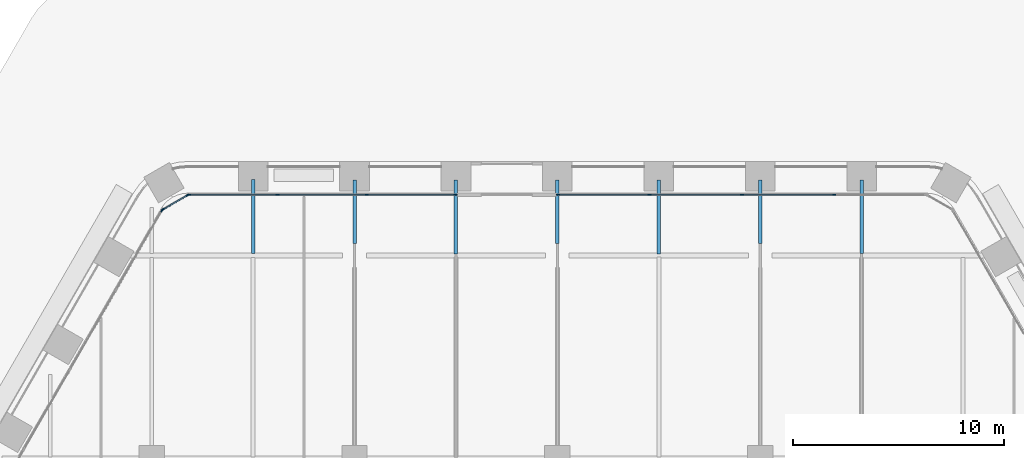
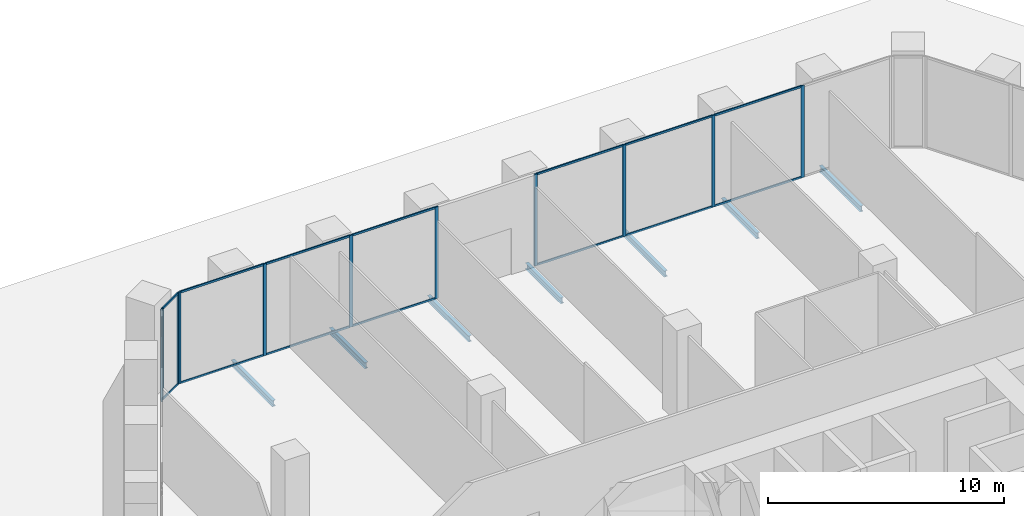
# One storey, part 12 of 29: 25 members, 7 beams, 4 elements without a shape of their own.
"""IFC4 building model written with IfcOpenShell, lengths in metres."""

from ifc_helpers import new_model, si_unit, direction, frame, origin, origin_2d, place, context, subcontext, project, spatial, rectangle, i_section, extrude, material, material_profile, profile_set, type_object, element, aggregate, save


model = new_model("IFC4")

# Units and contexts
model_context = context("Model", 3, precision=1e-05, world=origin(), true_north=direction((0.0, 1.0)))
body_context = subcontext(model_context, "Body", "Model", "MODEL_VIEW")
ifc_project = project(units=[si_unit("LENGTHUNIT", "METRE"), si_unit("AREAUNIT", "SQUARE_METRE"), si_unit("VOLUMEUNIT", "CUBIC_METRE"), si_unit("PLANEANGLEUNIT", "RADIAN"), si_unit("MASSUNIT", "GRAM", prefix="KILO")], contexts=[model_context])

# Site, building, storey
site_placement = place(None, origin())
site = spatial("IfcSite", under=ifc_project, at=site_placement, CompositionType="ELEMENT")
building_placement = place(site_placement, origin())
building = spatial("IfcBuilding", under=site, at=building_placement, Name="Kolab Exchange Tower", CompositionType="ELEMENT")
storey_placement = place(building_placement, frame((0.0, 0.0, 17.39990234375)))
storey = spatial("IfcBuildingStorey", under=building, at=storey_placement, Name="L03", CompositionType="ELEMENT", Elevation=17.39990234375)

# Beams
ifc_material_1 = material(Name="Steel S355", Category="steel")
ifc_material_profile_1 = material_profile(ifc_material_1, i_section(OverallWidth=0.1650390625, OverallDepth=0.31005859375, WebThickness=0.005859375, FlangeThickness=0.009765625, at=origin_2d()), Name="W310X39")
ifc_profile_set_1 = profile_set([ifc_material_profile_1], Name="Steel S355")
beam_type = type_object("IfcBeamType", Name="FLOOR BEAM W310X39", PredefinedType="BEAM", material=ifc_profile_set_1)
beam_1_placement = place(storey_placement, frame((-14.39990234375, 28.886962890625, -0.40478515625), z_axis=(0.0, 1.0, 0.0), x_axis=(-1.0, 0.0, 0.0)))
element("IfcBeam", 1, at=beam_1_placement, inside=storey, type_object=beam_type, Name="beam/L03/fr/024", PredefinedType="BEAM", context=body_context, shape_type="SweptSolid", body=[
    extrude(i_section(OverallWidth=0.1650390625, OverallDepth=0.31005859375, WebThickness=0.005859375, FlangeThickness=0.009765625, at=origin_2d()), origin(), (0.0, 0.0, 1.0), 3.5078125),
])
beam_2_placement = place(storey_placement, frame((-9.60009765625, 29.360107421875, -0.40478515625), z_axis=(0.0, 1.0, 0.0), x_axis=(-1.0, 0.0, 0.0)))
element("IfcBeam", 2, at=beam_2_placement, inside=storey, type_object=beam_type, Name="beam/L03/fr/030", PredefinedType="BEAM", context=body_context, shape_type="SweptSolid", body=[
    extrude(i_section(OverallWidth=0.1650390625, OverallDepth=0.31005859375, WebThickness=0.005859375, FlangeThickness=0.009765625, at=origin_2d()), origin(), (0.0, 0.0, 1.0), 3.01025390625),
])
beam_3_placement = place(storey_placement, frame((-4.800048828125, 28.8740234375, -0.40478515625), z_axis=(0.0, 1.0, 0.0), x_axis=(-1.0, 0.0, 0.0)))
element("IfcBeam", 3, at=beam_3_placement, inside=storey, type_object=beam_type, Name="beam/L03/fr/036", PredefinedType="BEAM", context=body_context, shape_type="SweptSolid", body=[
    extrude(i_section(OverallWidth=0.1650390625, OverallDepth=0.31005859375, WebThickness=0.005859375, FlangeThickness=0.009765625, at=origin_2d()), origin(), (0.0, 0.0, 1.0), 3.496337890625),
])
beam_4_placement = place(storey_placement, frame((0.0, 29.360107421875, -0.40478515625), z_axis=(0.0, 1.0, 0.0), x_axis=(-1.0, 0.0, 0.0)))
element("IfcBeam", 4, at=beam_4_placement, inside=storey, type_object=beam_type, Name="beam/L03/fr/042", PredefinedType="BEAM", context=body_context, shape_type="SweptSolid", body=[
    extrude(i_section(OverallWidth=0.1650390625, OverallDepth=0.31005859375, WebThickness=0.005859375, FlangeThickness=0.009765625, at=origin_2d()), origin(), (0.0, 0.0, 1.0), 3.01025390625),
])
beam_5_placement = place(storey_placement, frame((4.800048828125, 28.8740234375, -0.40478515625), z_axis=(0.0, 1.0, 0.0), x_axis=(-1.0, 0.0, 0.0)))
element("IfcBeam", 5, at=beam_5_placement, inside=storey, type_object=beam_type, Name="beam/L03/fr/048", PredefinedType="BEAM", context=body_context, shape_type="SweptSolid", body=[
    extrude(i_section(OverallWidth=0.1650390625, OverallDepth=0.31005859375, WebThickness=0.005859375, FlangeThickness=0.009765625, at=origin_2d()), origin(), (0.0, 0.0, 1.0), 3.496337890625),
])
beam_6_placement = place(storey_placement, frame((9.60009765625, 29.360107421875, -0.40478515625), z_axis=(0.0, 1.0, 0.0), x_axis=(-1.0, 0.0, 0.0)))
element("IfcBeam", 6, at=beam_6_placement, inside=storey, type_object=beam_type, Name="beam/L03/fr/054", PredefinedType="BEAM", context=body_context, shape_type="SweptSolid", body=[
    extrude(i_section(OverallWidth=0.1650390625, OverallDepth=0.31005859375, WebThickness=0.005859375, FlangeThickness=0.009765625, at=origin_2d()), origin(), (0.0, 0.0, 1.0), 3.01025390625),
])
beam_7_placement = place(storey_placement, frame((14.39990234375, 28.886962890625, -0.40478515625), z_axis=(0.0, 1.0, 0.0), x_axis=(-1.0, 0.0, 0.0)))
element("IfcBeam", 7, at=beam_7_placement, inside=storey, type_object=beam_type, Name="beam/L03/fr/060", PredefinedType="BEAM", context=body_context, shape_type="SweptSolid", body=[
    extrude(i_section(OverallWidth=0.1650390625, OverallDepth=0.31005859375, WebThickness=0.005859375, FlangeThickness=0.009765625, at=origin_2d()), origin(), (0.0, 0.0, 1.0), 3.4833984375),
])

# Curtain wall, members
ifc_material_2 = material(Name="Aluminium EN AW-6063 T6", Category="aluminium")
curtain_wall_type = type_object("IfcCurtainWallType", Name="UNITISED LOW ZONE CURTAIN WALL", PredefinedType="NOTDEFINED", material=ifc_material_2)
curtain_wall_1_placement = place(storey_placement, origin())
curtain_wall_1 = element("IfcCurtainWall", 8, at=curtain_wall_1_placement, inside=storey, type_object=curtain_wall_type, Name="cw/L03/F1-1", PredefinedType="NOTDEFINED")
ifc_material_profile_2 = material_profile(ifc_material_2, rectangle(XDim=0.06005859375, YDim=0.159912109375, at=origin_2d()), Name="RECT 60X160")
ifc_profile_set_2 = profile_set([ifc_material_profile_2], Name="Aluminium EN AW-6063 T6")
member_type_1 = type_object("IfcMemberType", Name="UNITISED LOW ZONE MULLION 60 X 160", PredefinedType="MULLION", material=ifc_profile_set_2)
member_1_placement = place(storey_placement, frame((-17.43798828125, 31.67529296875, 0.0), z_axis=(0.0, 0.0, 1.0), x_axis=(0.0, 1.0, 0.0)))
member_1 = element("IfcMember", 9, at=member_1_placement, type_object=member_type_1, Name="CW1 mullion 1", PredefinedType="MULLION", context=body_context, shape_type="SweptSolid", body=[
    extrude(rectangle(XDim=0.06005859375, YDim=0.159912109375, at=origin_2d()), origin(), (0.0, 0.0, 1.0), 4.75),
])
member_2_placement = place(storey_placement, frame((-13.245361328125, 31.67529296875, 0.0), z_axis=(0.0, 0.0, 1.0), x_axis=(0.0, 1.0, 0.0)))
member_2 = element("IfcMember", 10, at=member_2_placement, type_object=member_type_1, Name="CW1 mullion 2", PredefinedType="MULLION", context=body_context, shape_type="SweptSolid", body=[
    extrude(rectangle(XDim=0.06005859375, YDim=0.159912109375, at=origin_2d()), origin(), (0.0, 0.0, 1.0), 4.75),
])
member_3_placement = place(storey_placement, frame((-9.022705078125, 31.67529296875, 0.0), z_axis=(0.0, 0.0, 1.0), x_axis=(0.0, 1.0, 0.0)))
member_3 = element("IfcMember", 11, at=member_3_placement, type_object=member_type_1, Name="CW1 mullion 3", PredefinedType="MULLION", context=body_context, shape_type="SweptSolid", body=[
    extrude(rectangle(XDim=0.06005859375, YDim=0.159912109375, at=origin_2d()), origin(), (0.0, 0.0, 1.0), 4.75),
])
member_4_placement = place(storey_placement, frame((-4.830078125, 31.67529296875, 0.0), z_axis=(0.0, 0.0, 1.0), x_axis=(0.0, 1.0, 0.0)))
member_4 = element("IfcMember", 12, at=member_4_placement, type_object=member_type_1, Name="CW1 mullion 4", PredefinedType="MULLION", context=body_context, shape_type="SweptSolid", body=[
    extrude(rectangle(XDim=0.06005859375, YDim=0.159912109375, at=origin_2d()), origin(), (0.0, 0.0, 1.0), 4.75),
])

curtain_wall_2_placement = place(storey_placement, origin())
curtain_wall_2 = element("IfcCurtainWall", 13, at=curtain_wall_2_placement, inside=storey, type_object=curtain_wall_type, Name="cw/L03/F1-2", PredefinedType="NOTDEFINED")
member_5_placement = place(storey_placement, frame((0.030029296875, 31.67529296875, 0.0), z_axis=(0.0, 0.0, 1.0), x_axis=(0.0, 1.0, 0.0)))
member_5 = element("IfcMember", 14, at=member_5_placement, type_object=member_type_1, Name="CW1 mullion 1", PredefinedType="MULLION", context=body_context, shape_type="SweptSolid", body=[
    extrude(rectangle(XDim=0.06005859375, YDim=0.159912109375, at=origin_2d()), origin(), (0.0, 0.0, 1.0), 4.75),
])
member_6_placement = place(storey_placement, frame((4.366943359375, 31.67529296875, 0.0), z_axis=(0.0, 0.0, 1.0), x_axis=(0.0, 1.0, 0.0)))
member_6 = element("IfcMember", 15, at=member_6_placement, type_object=member_type_1, Name="CW1 mullion 2", PredefinedType="MULLION", context=body_context, shape_type="SweptSolid", body=[
    extrude(rectangle(XDim=0.06005859375, YDim=0.159912109375, at=origin_2d()), origin(), (0.0, 0.0, 1.0), 4.75),
])
member_7_placement = place(storey_placement, frame((8.73388671875, 31.67529296875, 0.0), z_axis=(0.0, 0.0, 1.0), x_axis=(0.0, 1.0, 0.0)))
member_7 = element("IfcMember", 16, at=member_7_placement, type_object=member_type_1, Name="CW1 mullion 3", PredefinedType="MULLION", context=body_context, shape_type="SweptSolid", body=[
    extrude(rectangle(XDim=0.06005859375, YDim=0.159912109375, at=origin_2d()), origin(), (0.0, 0.0, 1.0), 4.75),
])
member_8_placement = place(storey_placement, frame((13.10107421875, 31.67529296875, 0.0), z_axis=(0.0, 0.0, 1.0), x_axis=(0.0, 1.0, 0.0)))
member_8 = element("IfcMember", 17, at=member_8_placement, type_object=member_type_1, Name="CW1 mullion 4", PredefinedType="MULLION", context=body_context, shape_type="SweptSolid", body=[
    extrude(rectangle(XDim=0.06005859375, YDim=0.159912109375, at=origin_2d()), origin(), (0.0, 0.0, 1.0), 4.75),
])

# Curtain wall, member
curtain_wall_3_placement = place(storey_placement, origin())
curtain_wall_3 = element("IfcCurtainWall", 18, at=curtain_wall_3_placement, inside=storey, type_object=curtain_wall_type, Name="cw/L03/F6-2", PredefinedType="NOTDEFINED")
member_9_placement = place(storey_placement, frame((-18.712646484375, 30.939453125, 0.0), z_axis=(0.0, 0.0, 1.0), x_axis=(-0.866025397318, 0.5000000112, 0.0)))
member_9 = element("IfcMember", 19, at=member_9_placement, type_object=member_type_1, Name="CW1 mullion 5", PredefinedType="MULLION", context=body_context, shape_type="SweptSolid", body=[
    extrude(rectangle(XDim=0.06005859375, YDim=0.159912109375, at=origin_2d()), origin(), (0.0, 0.0, 1.0), 4.75),
])
aggregate(curtain_wall_3, [member_9])

# Curtain wall, members
curtain_wall_4_placement = place(storey_placement, origin())
curtain_wall_4 = element("IfcCurtainWall", 20, at=curtain_wall_4_placement, inside=storey, type_object=curtain_wall_type, Name="cw/L03/F6F1-corner", PredefinedType="NOTDEFINED")
member_10_placement = place(storey_placement, frame((-18.671630859375, 30.98046875, 0.0), z_axis=(0.0, 0.0, 1.0), x_axis=(-0.50000002237, 0.866025390869, 0.0)))
member_10 = element("IfcMember", 21, at=member_10_placement, type_object=member_type_1, Name="CW1 mullion 1", PredefinedType="MULLION", context=body_context, shape_type="SweptSolid", body=[
    extrude(rectangle(XDim=0.06005859375, YDim=0.159912109375, at=origin_2d()), origin(), (0.0, 0.0, 1.0), 4.75),
])
member_11_placement = place(storey_placement, frame((-17.493896484375, 31.660400390625, 0.0), z_axis=(0.0, 0.0, 1.0), x_axis=(-0.50000002237, 0.866025390869, 0.0)))
member_11 = element("IfcMember", 22, at=member_11_placement, type_object=member_type_1, Name="CW1 mullion 2", PredefinedType="MULLION", context=body_context, shape_type="SweptSolid", body=[
    extrude(rectangle(XDim=0.06005859375, YDim=0.159912109375, at=origin_2d()), origin(), (0.0, 0.0, 1.0), 4.75),
])

# Member
ifc_material_profile_3 = material_profile(ifc_material_2, rectangle(XDim=0.06005859375, YDim=0.10009765625, at=origin_2d()), Name="RECT 60X100")
ifc_profile_set_3 = profile_set([ifc_material_profile_3], Name="Aluminium EN AW-6063 T6")
member_type_2 = type_object("IfcMemberType", Name="UNITISED LOW ZONE TRANSOM 60 X 100", PredefinedType="USERDEFINED", material=ifc_profile_set_3)
member_12_placement = place(storey_placement, frame((-17.407958984375, 31.67529296875, 0.030029296875), z_axis=(1.0, 0.0, 0.0), x_axis=(0.0, 1.0, 0.0)))
member_12 = element("IfcMember", 23, at=member_12_placement, type_object=member_type_2, Name="CW1 transom 1.1", ObjectType="TRANSOM", PredefinedType="USERDEFINED", context=body_context, shape_type="SweptSolid", body=[
    extrude(rectangle(XDim=0.06005859375, YDim=0.10009765625, at=origin_2d()), origin(), (0.0, 0.0, 1.0), 4.132568359375),
])

member_13_placement = place(storey_placement, frame((-17.407958984375, 31.67529296875, 4.72021484375), z_axis=(1.0, 0.0, 0.0), x_axis=(0.0, 1.0, 0.0)))
member_13 = element("IfcMember", 24, at=member_13_placement, type_object=member_type_2, Name="CW1 transom 1.2", ObjectType="TRANSOM", PredefinedType="USERDEFINED", context=body_context, shape_type="SweptSolid", body=[
    extrude(rectangle(XDim=0.06005859375, YDim=0.10009765625, at=origin_2d()), origin(), (0.0, 0.0, 1.0), 4.132568359375),
])

member_14_placement = place(storey_placement, frame((-13.21533203125, 31.67529296875, 0.030029296875), z_axis=(1.0, 0.0, 0.0), x_axis=(0.0, 1.0, 0.0)))
member_14 = element("IfcMember", 25, at=member_14_placement, type_object=member_type_2, Name="CW1 transom 2.1", ObjectType="TRANSOM", PredefinedType="USERDEFINED", context=body_context, shape_type="SweptSolid", body=[
    extrude(rectangle(XDim=0.06005859375, YDim=0.10009765625, at=origin_2d()), origin(), (0.0, 0.0, 1.0), 4.16259765625),
])

member_15_placement = place(storey_placement, frame((-13.21533203125, 31.67529296875, 4.72021484375), z_axis=(1.0, 0.0, 0.0), x_axis=(0.0, 1.0, 0.0)))
member_15 = element("IfcMember", 26, at=member_15_placement, type_object=member_type_2, Name="CW1 transom 2.2", ObjectType="TRANSOM", PredefinedType="USERDEFINED", context=body_context, shape_type="SweptSolid", body=[
    extrude(rectangle(XDim=0.06005859375, YDim=0.10009765625, at=origin_2d()), origin(), (0.0, 0.0, 1.0), 4.16259765625),
])

member_16_placement = place(storey_placement, frame((-8.99267578125, 31.67529296875, 0.030029296875), z_axis=(1.0, 0.0, 0.0), x_axis=(0.0, 1.0, 0.0)))
member_16 = element("IfcMember", 27, at=member_16_placement, type_object=member_type_2, Name="CW1 transom 3.1", ObjectType="TRANSOM", PredefinedType="USERDEFINED", context=body_context, shape_type="SweptSolid", body=[
    extrude(rectangle(XDim=0.06005859375, YDim=0.10009765625, at=origin_2d()), origin(), (0.0, 0.0, 1.0), 4.132568359375),
])

member_17_placement = place(storey_placement, frame((-8.99267578125, 31.67529296875, 4.72021484375), z_axis=(1.0, 0.0, 0.0), x_axis=(0.0, 1.0, 0.0)))
member_17 = element("IfcMember", 28, at=member_17_placement, type_object=member_type_2, Name="CW1 transom 3.2", ObjectType="TRANSOM", PredefinedType="USERDEFINED", context=body_context, shape_type="SweptSolid", body=[
    extrude(rectangle(XDim=0.06005859375, YDim=0.10009765625, at=origin_2d()), origin(), (0.0, 0.0, 1.0), 4.132568359375),
])

aggregate(curtain_wall_1, [member_1, member_2, member_3, member_4, member_12, member_13, member_14, member_15, member_16, member_17])

member_18_placement = place(storey_placement, frame((0.06005859375, 31.67529296875, 0.030029296875), z_axis=(1.0, 0.0, 0.0), x_axis=(0.0, 1.0, 0.0)))
member_18 = element("IfcMember", 29, at=member_18_placement, type_object=member_type_2, Name="CW1 transom 1.1", ObjectType="TRANSOM", PredefinedType="USERDEFINED", context=body_context, shape_type="SweptSolid", body=[
    extrude(rectangle(XDim=0.06005859375, YDim=0.10009765625, at=origin_2d()), origin(), (0.0, 0.0, 1.0), 4.27685546875),
])

member_19_placement = place(storey_placement, frame((0.06005859375, 31.67529296875, 4.72021484375), z_axis=(1.0, 0.0, 0.0), x_axis=(0.0, 1.0, 0.0)))
member_19 = element("IfcMember", 30, at=member_19_placement, type_object=member_type_2, Name="CW1 transom 1.2", ObjectType="TRANSOM", PredefinedType="USERDEFINED", context=body_context, shape_type="SweptSolid", body=[
    extrude(rectangle(XDim=0.06005859375, YDim=0.10009765625, at=origin_2d()), origin(), (0.0, 0.0, 1.0), 4.27685546875),
])

member_20_placement = place(storey_placement, frame((4.39697265625, 31.67529296875, 0.030029296875), z_axis=(1.0, 0.0, 0.0), x_axis=(0.0, 1.0, 0.0)))
member_20 = element("IfcMember", 31, at=member_20_placement, type_object=member_type_2, Name="CW1 transom 2.1", ObjectType="TRANSOM", PredefinedType="USERDEFINED", context=body_context, shape_type="SweptSolid", body=[
    extrude(rectangle(XDim=0.06005859375, YDim=0.10009765625, at=origin_2d()), origin(), (0.0, 0.0, 1.0), 4.306884765625),
])

member_21_placement = place(storey_placement, frame((4.39697265625, 31.67529296875, 4.72021484375), z_axis=(1.0, 0.0, 0.0), x_axis=(0.0, 1.0, 0.0)))
member_21 = element("IfcMember", 32, at=member_21_placement, type_object=member_type_2, Name="CW1 transom 2.2", ObjectType="TRANSOM", PredefinedType="USERDEFINED", context=body_context, shape_type="SweptSolid", body=[
    extrude(rectangle(XDim=0.06005859375, YDim=0.10009765625, at=origin_2d()), origin(), (0.0, 0.0, 1.0), 4.306884765625),
])

member_22_placement = place(storey_placement, frame((8.763916015625, 31.67529296875, 0.030029296875), z_axis=(1.0, 0.0, 0.0), x_axis=(0.0, 1.0, 0.0)))
member_22 = element("IfcMember", 33, at=member_22_placement, type_object=member_type_2, Name="CW1 transom 3.1", ObjectType="TRANSOM", PredefinedType="USERDEFINED", context=body_context, shape_type="SweptSolid", body=[
    extrude(rectangle(XDim=0.06005859375, YDim=0.10009765625, at=origin_2d()), origin(), (0.0, 0.0, 1.0), 4.30712890625),
])

member_23_placement = place(storey_placement, frame((8.763916015625, 31.67529296875, 4.72021484375), z_axis=(1.0, 0.0, 0.0), x_axis=(0.0, 1.0, 0.0)))
member_23 = element("IfcMember", 34, at=member_23_placement, type_object=member_type_2, Name="CW1 transom 3.2", ObjectType="TRANSOM", PredefinedType="USERDEFINED", context=body_context, shape_type="SweptSolid", body=[
    extrude(rectangle(XDim=0.06005859375, YDim=0.10009765625, at=origin_2d()), origin(), (0.0, 0.0, 1.0), 4.30712890625),
])

aggregate(curtain_wall_2, [member_5, member_6, member_7, member_8, member_18, member_19, member_20, member_21, member_22, member_23])

member_24_placement = place(storey_placement, frame((-18.645751953125, 30.995361328125, 0.030029296875), z_axis=(0.86603858612, 0.49997716683, 0.0), x_axis=(-0.49997716683, 0.86603858612, 0.0)))
member_24 = element("IfcMember", 35, at=member_24_placement, type_object=member_type_2, Name="CW1 transom 1.1", ObjectType="TRANSOM", PredefinedType="USERDEFINED", context=body_context, shape_type="SweptSolid", body=[
    extrude(rectangle(XDim=0.06005859375, YDim=0.10009765625, at=origin_2d()), origin(), (0.0, 0.0, 1.0), 1.2998046875),
])

member_25_placement = place(storey_placement, frame((-18.645751953125, 30.995361328125, 4.72021484375), z_axis=(0.86603858612, 0.49997716683, 0.0), x_axis=(-0.49997716683, 0.86603858612, 0.0)))
member_25 = element("IfcMember", 36, at=member_25_placement, type_object=member_type_2, Name="CW1 transom 1.2", ObjectType="TRANSOM", PredefinedType="USERDEFINED", context=body_context, shape_type="SweptSolid", body=[
    extrude(rectangle(XDim=0.06005859375, YDim=0.10009765625, at=origin_2d()), origin(), (0.0, 0.0, 1.0), 1.2998046875),
])

aggregate(curtain_wall_4, [member_10, member_11, member_24, member_25])

save(model, "model.ifc")
